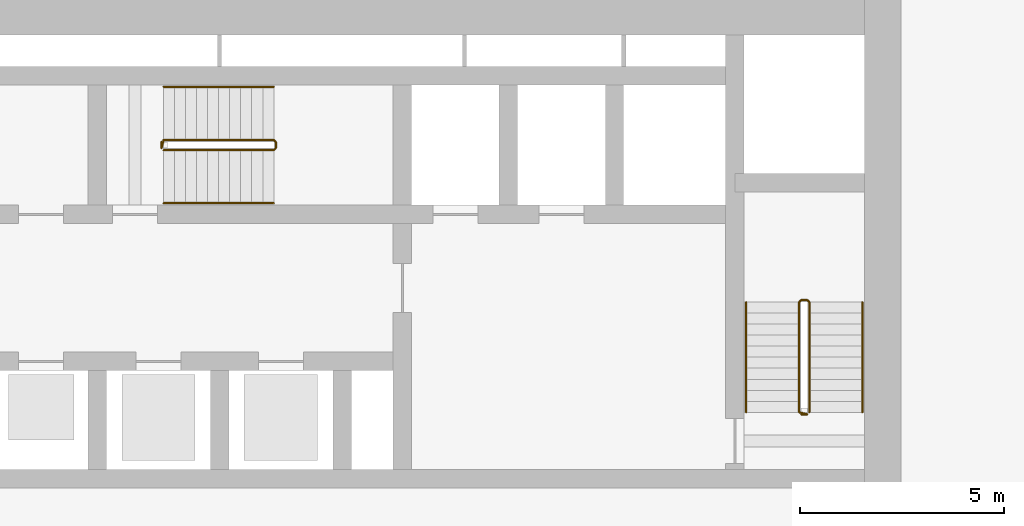
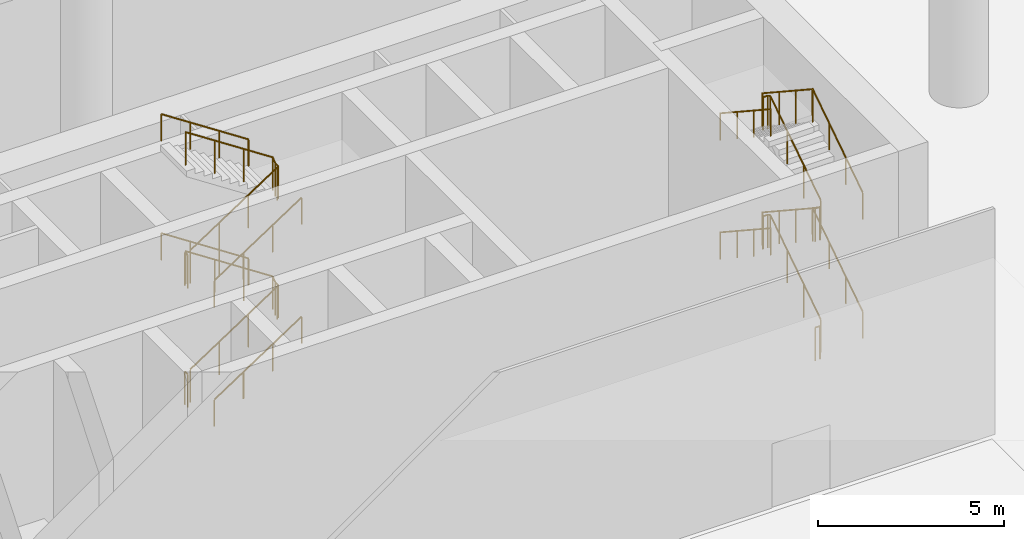
# One storey, part 30 of 32: 14 railings.
"""IFC4 building model written with IfcOpenShell, lengths in metres."""

from ifc_helpers import new_model, si_unit, direction, frame, origin, origin_2d, place, context, subcontext, project, spatial, circle, extrude, material, type_object, element, save


model = new_model("IFC4")

# Units and contexts
model_context = context("Model", 3, precision=1e-05, world=origin(), true_north=direction((0.0, 1.0)))
body_context = subcontext(model_context, "Body", "Model", "MODEL_VIEW")
ifc_project = project(units=[si_unit("LENGTHUNIT", "METRE"), si_unit("AREAUNIT", "SQUARE_METRE"), si_unit("VOLUMEUNIT", "CUBIC_METRE"), si_unit("PLANEANGLEUNIT", "RADIAN"), si_unit("MASSUNIT", "GRAM", prefix="KILO")], contexts=[model_context])

# Site, building, storey
site_placement = place(None, origin())
site = spatial("IfcSite", under=ifc_project, at=site_placement, CompositionType="ELEMENT")
building_placement = place(site_placement, origin())
building = spatial("IfcBuilding", under=site, at=building_placement, Name="Saffron Iwan Residences", CompositionType="ELEMENT")
storey_placement = place(building_placement, origin())
storey = spatial("IfcBuildingStorey", under=building, at=storey_placement, Name="L00", CompositionType="ELEMENT", Elevation=0.0)

# Railings
ifc_material_1 = material(Name="Steel S355", Category="steel")
railing_type_1 = type_object("IfcRailingType", Name="Stair guard 1100", PredefinedType="GUARDRAIL", material=ifc_material_1)
railing_1_placement = place(storey_placement, frame((53.925048828125, 74.27490234375, 0.17724609375)))
element("IfcRailing", 1, at=railing_1_placement, inside=storey, type_object=railing_type_1, Name="L00 ST-C stair guard 1", PredefinedType="GUARDRAIL", context=body_context, shape_type="SweptSolid", body=[
    extrude(circle(Radius=0.02392578125, at=origin_2d()), frame((0.0, 0.0, 1.076171875), z_axis=(0.835925453266, 0.0, 0.548842998116), x_axis=(0.0, 1.0, 0.0)), (0.0, 0.0, 1.0), 3.22998046875),
    extrude(circle(Radius=0.02392578125, at=origin_2d()), frame((2.699951171875, 0.0, 2.8486328125), z_axis=(0.707106781187, 0.707106781187, 0.0), x_axis=(-0.707106781187, 0.707106781187, 0.0)), (0.0, 0.0, 1.0), 0.07080078125),
    extrude(circle(Radius=0.02392578125, at=origin_2d()), frame((2.75, 0.050048828125, 2.8486328125), z_axis=(0.0, 1.0, 0.0), x_axis=(-1.0, 0.0, 0.0)), (0.0, 0.0, 1.0), 0.150146484375),
    extrude(circle(Radius=0.02392578125, at=origin_2d()), frame((2.75, 0.2001953125, 2.8486328125), z_axis=(-0.262321481514, 0.261041864531, 0.929001929653), x_axis=(-0.705375805398, -0.708833529934, 0.0)), (0.0, 0.0, 1.0), 0.190673828125),
    extrude(circle(Radius=0.02392578125, at=origin_2d()), frame((2.699951171875, 0.25, 3.02587890625), z_axis=(-0.835925453266, 0.0, 0.548842998116), x_axis=(0.0, -1.0, 0.0)), (0.0, 0.0, 1.0), 3.22998046875),
    extrude(circle(Radius=0.02392578125, at=origin_2d()), frame((0.0, 0.25, 4.798828125), z_axis=(-0.242814311512, -0.970072785993, 0.0), x_axis=(0.970072785993, -0.242814311512, 0.0)), (0.0, 0.0, 1.0), 0.2060546875),
    extrude(circle(Radius=0.02392578125, at=origin_2d()), frame((-0.050048828125, 0.050048828125, 4.798828125), z_axis=(0.0, 1.0, 0.0), x_axis=(-1.0, 0.0, 0.0)), (0.0, 0.0, 1.0), 0.150146484375),
    extrude(circle(Radius=0.02099609375, at=origin_2d()), origin(), (0.0, 0.0, 1.0), 1.052001953125),
    extrude(circle(Radius=0.02099609375, at=origin_2d()), frame((0.89990234375, 0.0, 0.5908203125)), (0.0, 0.0, 1.0), 1.052001953125),
    extrude(circle(Radius=0.02099609375, at=origin_2d()), frame((1.800048828125, 0.0, 1.181884765625)), (0.0, 0.0, 1.0), 1.052001953125),
    extrude(circle(Radius=0.02099609375, at=origin_2d()), frame((2.699951171875, 0.0, 1.772705078125)), (0.0, 0.0, 1.0), 1.052001953125),
    extrude(circle(Radius=0.02099609375, at=origin_2d()), frame((2.75, 0.050048828125, 1.772705078125)), (0.0, 0.0, 1.0), 1.052001953125),
    extrude(circle(Radius=0.02099609375, at=origin_2d()), frame((2.75, 0.2001953125, 1.772705078125)), (0.0, 0.0, 1.0), 1.052001953125),
    extrude(circle(Radius=0.02099609375, at=origin_2d()), frame((2.699951171875, 0.25, 1.949951171875)), (0.0, 0.0, 1.0), 1.052001953125),
    extrude(circle(Radius=0.02099609375, at=origin_2d()), frame((1.800048828125, 0.25, 2.540771484375)), (0.0, 0.0, 1.0), 1.052001953125),
    extrude(circle(Radius=0.02099609375, at=origin_2d()), frame((0.89990234375, 0.25, 3.1318359375)), (0.0, 0.0, 1.0), 1.052001953125),
    extrude(circle(Radius=0.02099609375, at=origin_2d()), frame((0.0, 0.25, 3.72265625)), (0.0, 0.0, 1.0), 1.052001953125),
    extrude(circle(Radius=0.02099609375, at=origin_2d()), frame((-0.050048828125, 0.050048828125, 3.72265625)), (0.0, 0.0, 1.0), 1.052001953125),
    extrude(circle(Radius=0.02099609375, at=origin_2d()), frame((-0.050048828125, 0.2001953125, 3.72265625)), (0.0, 0.0, 1.0), 1.052001953125),
])
railing_2_placement = place(storey_placement, frame((53.925048828125, 74.27490234375, 4.077392578125)))
element("IfcRailing", 2, at=railing_2_placement, inside=storey, type_object=railing_type_1, Name="L00 ST-C stair guard 2", PredefinedType="GUARDRAIL", context=body_context, shape_type="SweptSolid", body=[
    extrude(circle(Radius=0.02392578125, at=origin_2d()), frame((0.0, 0.0, 1.076171875), z_axis=(0.835925453266, 0.0, 0.548842998116), x_axis=(0.0, 1.0, 0.0)), (0.0, 0.0, 1.0), 3.22998046875),
    extrude(circle(Radius=0.02392578125, at=origin_2d()), frame((2.699951171875, 0.0, 2.8486328125), z_axis=(0.707106781187, 0.707106781187, 0.0), x_axis=(-0.707106781187, 0.707106781187, 0.0)), (0.0, 0.0, 1.0), 0.07080078125),
    extrude(circle(Radius=0.02392578125, at=origin_2d()), frame((2.75, 0.050048828125, 2.8486328125), z_axis=(0.0, 1.0, 0.0), x_axis=(-1.0, 0.0, 0.0)), (0.0, 0.0, 1.0), 0.150146484375),
    extrude(circle(Radius=0.02392578125, at=origin_2d()), frame((2.75, 0.2001953125, 2.8486328125), z_axis=(-0.262321481514, 0.261041864531, 0.929001929653), x_axis=(-0.705375805398, -0.708833529934, 0.0)), (0.0, 0.0, 1.0), 0.190673828125),
    extrude(circle(Radius=0.02392578125, at=origin_2d()), frame((2.699951171875, 0.25, 3.02587890625), z_axis=(-0.835925453266, 0.0, 0.548842998116), x_axis=(0.0, -1.0, 0.0)), (0.0, 0.0, 1.0), 3.22998046875),
    extrude(circle(Radius=0.02099609375, at=origin_2d()), origin(), (0.0, 0.0, 1.0), 1.052001953125),
    extrude(circle(Radius=0.02099609375, at=origin_2d()), frame((0.89990234375, 0.0, 0.5908203125)), (0.0, 0.0, 1.0), 1.052001953125),
    extrude(circle(Radius=0.02099609375, at=origin_2d()), frame((1.800048828125, 0.0, 1.181884765625)), (0.0, 0.0, 1.0), 1.052001953125),
    extrude(circle(Radius=0.02099609375, at=origin_2d()), frame((2.699951171875, 0.0, 1.772705078125)), (0.0, 0.0, 1.0), 1.052001953125),
    extrude(circle(Radius=0.02099609375, at=origin_2d()), frame((2.75, 0.050048828125, 1.772705078125)), (0.0, 0.0, 1.0), 1.052001953125),
    extrude(circle(Radius=0.02099609375, at=origin_2d()), frame((2.75, 0.2001953125, 1.772705078125)), (0.0, 0.0, 1.0), 1.052001953125),
    extrude(circle(Radius=0.02099609375, at=origin_2d()), frame((2.699951171875, 0.25, 1.949951171875)), (0.0, 0.0, 1.0), 1.052001953125),
    extrude(circle(Radius=0.02099609375, at=origin_2d()), frame((1.800048828125, 0.25, 2.540771484375)), (0.0, 0.0, 1.0), 1.052001953125),
    extrude(circle(Radius=0.02099609375, at=origin_2d()), frame((0.89990234375, 0.25, 3.1318359375)), (0.0, 0.0, 1.0), 1.052001953125),
    extrude(circle(Radius=0.02099609375, at=origin_2d()), frame((0.0, 0.25, 3.72265625)), (0.0, 0.0, 1.0), 1.052001953125),
])
railing_3_placement = place(storey_placement, frame((53.875, 74.324951171875, 0.0)))
element("IfcRailing", 3, at=railing_3_placement, inside=storey, type_object=railing_type_1, Name="L00 ST-C stair guard 3", PredefinedType="GUARDRAIL", context=body_context, shape_type="SweptSolid", body=[
    extrude(circle(Radius=0.02392578125, at=origin_2d()), frame((0.0, 0.0, 1.076171875), z_axis=(0.0, 1.0, 0.0), x_axis=(-1.0, 0.0, 0.0)), (0.0, 0.0, 1.0), 0.150146484375),
    extrude(circle(Radius=0.02099609375, at=origin_2d()), origin(), (0.0, 0.0, 1.0), 1.052001953125),
    extrude(circle(Radius=0.02099609375, at=origin_2d()), frame((0.0, 0.150146484375, 0.0)), (0.0, 0.0, 1.0), 1.052001953125),
])
railing_4_placement = place(storey_placement, frame((69.75, 67.85009765625, 0.17724609375)))
element("IfcRailing", 4, at=railing_4_placement, inside=storey, type_object=railing_type_1, Name="L00 ST-E stair guard 1", PredefinedType="GUARDRAIL", context=body_context, shape_type="SweptSolid", body=[
    extrude(circle(Radius=0.02392578125, at=origin_2d()), frame((0.0, 0.0, 1.076171875), z_axis=(0.0, 0.835925453266, 0.548842998116), x_axis=(-1.0, 0.0, 0.0)), (0.0, 0.0, 1.0), 3.22998046875),
    extrude(circle(Radius=0.02392578125, at=origin_2d()), frame((0.0, 2.699951171875, 2.8486328125), z_axis=(-0.707106781187, 0.707106781187, 0.0), x_axis=(-0.707106781187, -0.707106781187, 0.0)), (0.0, 0.0, 1.0), 0.07080078125),
    extrude(circle(Radius=0.02392578125, at=origin_2d()), frame((-0.050048828125, 2.75, 2.8486328125), z_axis=(-1.0, 0.0, 0.0), x_axis=(0.0, -1.0, 0.0)), (0.0, 0.0, 1.0), 0.14990234375),
    extrude(circle(Radius=0.02392578125, at=origin_2d()), frame((-0.199951171875, 2.75, 2.8486328125), z_axis=(-0.262233686654, -0.262233686654, 0.928691007369), x_axis=(0.707106781187, -0.707106781187, 0.0)), (0.0, 0.0, 1.0), 0.19091796875),
    extrude(circle(Radius=0.02392578125, at=origin_2d()), frame((-0.25, 2.699951171875, 3.02587890625), z_axis=(0.0, -0.835925453266, 0.548842998116), x_axis=(1.0, 0.0, 0.0)), (0.0, 0.0, 1.0), 3.22998046875),
    extrude(circle(Radius=0.02392578125, at=origin_2d()), frame((-0.25, 0.0, 4.798828125), z_axis=(0.970072785993, -0.242814311512, 0.0), x_axis=(0.242814311512, 0.970072785993, 0.0)), (0.0, 0.0, 1.0), 0.2060546875),
    extrude(circle(Radius=0.02392578125, at=origin_2d()), frame((-0.050048828125, -0.050048828125, 4.798828125), z_axis=(-1.0, 0.0, 0.0), x_axis=(0.0, -1.0, 0.0)), (0.0, 0.0, 1.0), 0.14990234375),
    extrude(circle(Radius=0.02099609375, at=origin_2d()), origin(), (0.0, 0.0, 1.0), 1.052001953125),
    extrude(circle(Radius=0.02099609375, at=origin_2d()), frame((0.0, 0.89990234375, 0.5908203125)), (0.0, 0.0, 1.0), 1.052001953125),
    extrude(circle(Radius=0.02099609375, at=origin_2d()), frame((0.0, 1.800048828125, 1.181884765625)), (0.0, 0.0, 1.0), 1.052001953125),
    extrude(circle(Radius=0.02099609375, at=origin_2d()), frame((0.0, 2.699951171875, 1.772705078125)), (0.0, 0.0, 1.0), 1.052001953125),
    extrude(circle(Radius=0.02099609375, at=origin_2d()), frame((-0.050048828125, 2.75, 1.772705078125)), (0.0, 0.0, 1.0), 1.052001953125),
    extrude(circle(Radius=0.02099609375, at=origin_2d()), frame((-0.199951171875, 2.75, 1.772705078125)), (0.0, 0.0, 1.0), 1.052001953125),
    extrude(circle(Radius=0.02099609375, at=origin_2d()), frame((-0.25, 2.699951171875, 1.949951171875)), (0.0, 0.0, 1.0), 1.052001953125),
    extrude(circle(Radius=0.02099609375, at=origin_2d()), frame((-0.25, 1.800048828125, 2.540771484375)), (0.0, 0.0, 1.0), 1.052001953125),
    extrude(circle(Radius=0.02099609375, at=origin_2d()), frame((-0.25, 0.89990234375, 3.1318359375)), (0.0, 0.0, 1.0), 1.052001953125),
    extrude(circle(Radius=0.02099609375, at=origin_2d()), frame((-0.25, 0.0, 3.72265625)), (0.0, 0.0, 1.0), 1.052001953125),
    extrude(circle(Radius=0.02099609375, at=origin_2d()), frame((-0.050048828125, -0.050048828125, 3.72265625)), (0.0, 0.0, 1.0), 1.052001953125),
    extrude(circle(Radius=0.02099609375, at=origin_2d()), frame((-0.199951171875, -0.050048828125, 3.72265625)), (0.0, 0.0, 1.0), 1.052001953125),
])
railing_5_placement = place(storey_placement, frame((69.75, 67.85009765625, 4.077392578125)))
element("IfcRailing", 5, at=railing_5_placement, inside=storey, type_object=railing_type_1, Name="L00 ST-E stair guard 2", PredefinedType="GUARDRAIL", context=body_context, shape_type="SweptSolid", body=[
    extrude(circle(Radius=0.02392578125, at=origin_2d()), frame((0.0, 0.0, 1.076171875), z_axis=(0.0, 0.835925453266, 0.548842998116), x_axis=(-1.0, 0.0, 0.0)), (0.0, 0.0, 1.0), 3.22998046875),
    extrude(circle(Radius=0.02392578125, at=origin_2d()), frame((0.0, 2.699951171875, 2.8486328125), z_axis=(-0.707106781187, 0.707106781187, 0.0), x_axis=(-0.707106781187, -0.707106781187, 0.0)), (0.0, 0.0, 1.0), 0.07080078125),
    extrude(circle(Radius=0.02392578125, at=origin_2d()), frame((-0.050048828125, 2.75, 2.8486328125), z_axis=(-1.0, 0.0, 0.0), x_axis=(0.0, -1.0, 0.0)), (0.0, 0.0, 1.0), 0.14990234375),
    extrude(circle(Radius=0.02392578125, at=origin_2d()), frame((-0.199951171875, 2.75, 2.8486328125), z_axis=(-0.262233686654, -0.262233686654, 0.928691007369), x_axis=(0.707106781187, -0.707106781187, 0.0)), (0.0, 0.0, 1.0), 0.19091796875),
    extrude(circle(Radius=0.02392578125, at=origin_2d()), frame((-0.25, 2.699951171875, 3.02587890625), z_axis=(0.0, -0.835925453266, 0.548842998116), x_axis=(1.0, 0.0, 0.0)), (0.0, 0.0, 1.0), 3.22998046875),
    extrude(circle(Radius=0.02099609375, at=origin_2d()), origin(), (0.0, 0.0, 1.0), 1.052001953125),
    extrude(circle(Radius=0.02099609375, at=origin_2d()), frame((0.0, 0.89990234375, 0.5908203125)), (0.0, 0.0, 1.0), 1.052001953125),
    extrude(circle(Radius=0.02099609375, at=origin_2d()), frame((0.0, 1.800048828125, 1.181884765625)), (0.0, 0.0, 1.0), 1.052001953125),
    extrude(circle(Radius=0.02099609375, at=origin_2d()), frame((0.0, 2.699951171875, 1.772705078125)), (0.0, 0.0, 1.0), 1.052001953125),
    extrude(circle(Radius=0.02099609375, at=origin_2d()), frame((-0.050048828125, 2.75, 1.772705078125)), (0.0, 0.0, 1.0), 1.052001953125),
    extrude(circle(Radius=0.02099609375, at=origin_2d()), frame((-0.199951171875, 2.75, 1.772705078125)), (0.0, 0.0, 1.0), 1.052001953125),
    extrude(circle(Radius=0.02099609375, at=origin_2d()), frame((-0.25, 2.699951171875, 1.949951171875)), (0.0, 0.0, 1.0), 1.052001953125),
    extrude(circle(Radius=0.02099609375, at=origin_2d()), frame((-0.25, 1.800048828125, 2.540771484375)), (0.0, 0.0, 1.0), 1.052001953125),
    extrude(circle(Radius=0.02099609375, at=origin_2d()), frame((-0.25, 0.89990234375, 3.1318359375)), (0.0, 0.0, 1.0), 1.052001953125),
    extrude(circle(Radius=0.02099609375, at=origin_2d()), frame((-0.25, 0.0, 3.72265625)), (0.0, 0.0, 1.0), 1.052001953125),
])
railing_6_placement = place(storey_placement, frame((69.699951171875, 67.800048828125, 0.0)))
element("IfcRailing", 6, at=railing_6_placement, inside=storey, type_object=railing_type_1, Name="L00 ST-E stair guard 3", PredefinedType="GUARDRAIL", context=body_context, shape_type="SweptSolid", body=[
    extrude(circle(Radius=0.02392578125, at=origin_2d()), frame((0.0, 0.0, 1.076171875), z_axis=(-1.0, 0.0, 0.0), x_axis=(0.0, -1.0, 0.0)), (0.0, 0.0, 1.0), 0.14990234375),
    extrude(circle(Radius=0.02099609375, at=origin_2d()), origin(), (0.0, 0.0, 1.0), 1.052001953125),
    extrude(circle(Radius=0.02099609375, at=origin_2d()), frame((-0.14990234375, 0.0, 0.0)), (0.0, 0.0, 1.0), 1.052001953125),
])
ifc_material_2 = material(Name="Stainless steel 316", Category="steel")
railing_type_2 = type_object("IfcRailingType", Name="Stair handrail 900", PredefinedType="HANDRAIL", material=ifc_material_2)
railing_7_placement = place(storey_placement, frame((53.925048828125, 72.97509765625, 0.17724609375)))
element("IfcRailing", 7, at=railing_7_placement, inside=storey, type_object=railing_type_2, Name="L00 ST-C stair handrail 1", PredefinedType="HANDRAIL", context=body_context, shape_type="SweptSolid", body=[
    extrude(circle(Radius=0.02392578125, at=origin_2d()), frame((0.0, 0.0, 0.8759765625), z_axis=(0.835925453266, 0.0, 0.548842998116), x_axis=(0.0, 1.0, 0.0)), (0.0, 0.0, 1.0), 3.22998046875),
    extrude(circle(Radius=0.02099609375, at=origin_2d()), origin(), (0.0, 0.0, 1.0), 0.851806640625),
    extrude(circle(Radius=0.02099609375, at=origin_2d()), frame((0.89990234375, 0.0, 0.5908203125)), (0.0, 0.0, 1.0), 0.851806640625),
    extrude(circle(Radius=0.02099609375, at=origin_2d()), frame((1.800048828125, 0.0, 1.181884765625)), (0.0, 0.0, 1.0), 0.851806640625),
    extrude(circle(Radius=0.02099609375, at=origin_2d()), frame((2.699951171875, 0.0, 1.772705078125)), (0.0, 0.0, 1.0), 0.851806640625),
])
railing_8_placement = place(storey_placement, frame((56.625, 75.824951171875, 2.127197265625)))
element("IfcRailing", 8, at=railing_8_placement, inside=storey, type_object=railing_type_2, Name="L00 ST-C stair handrail 2", PredefinedType="HANDRAIL", context=body_context, shape_type="SweptSolid", body=[
    extrude(circle(Radius=0.02392578125, at=origin_2d()), frame((0.0, 0.0, 0.8759765625), z_axis=(-0.835925453266, 0.0, 0.548842998116), x_axis=(0.0, -1.0, 0.0)), (0.0, 0.0, 1.0), 3.22998046875),
    extrude(circle(Radius=0.02099609375, at=origin_2d()), origin(), (0.0, 0.0, 1.0), 0.851806640625),
    extrude(circle(Radius=0.02099609375, at=origin_2d()), frame((-0.89990234375, 0.0, 0.5908203125)), (0.0, 0.0, 1.0), 0.851806640625),
    extrude(circle(Radius=0.02099609375, at=origin_2d()), frame((-1.800048828125, 0.0, 1.181884765625)), (0.0, 0.0, 1.0), 0.851806640625),
    extrude(circle(Radius=0.02099609375, at=origin_2d()), frame((-2.699951171875, 0.0, 1.772705078125)), (0.0, 0.0, 1.0), 0.851806640625),
])
railing_9_placement = place(storey_placement, frame((53.925048828125, 72.97509765625, 4.077392578125)))
element("IfcRailing", 9, at=railing_9_placement, inside=storey, type_object=railing_type_2, Name="L00 ST-C stair handrail 3", PredefinedType="HANDRAIL", context=body_context, shape_type="SweptSolid", body=[
    extrude(circle(Radius=0.02392578125, at=origin_2d()), frame((0.0, 0.0, 0.8759765625), z_axis=(0.835925453266, 0.0, 0.548842998116), x_axis=(0.0, 1.0, 0.0)), (0.0, 0.0, 1.0), 3.22998046875),
    extrude(circle(Radius=0.02099609375, at=origin_2d()), origin(), (0.0, 0.0, 1.0), 0.851806640625),
    extrude(circle(Radius=0.02099609375, at=origin_2d()), frame((0.89990234375, 0.0, 0.5908203125)), (0.0, 0.0, 1.0), 0.851806640625),
    extrude(circle(Radius=0.02099609375, at=origin_2d()), frame((1.800048828125, 0.0, 1.181884765625)), (0.0, 0.0, 1.0), 0.851806640625),
    extrude(circle(Radius=0.02099609375, at=origin_2d()), frame((2.699951171875, 0.0, 1.772705078125)), (0.0, 0.0, 1.0), 0.851806640625),
])
railing_10_placement = place(storey_placement, frame((56.625, 75.824951171875, 6.02734375)))
element("IfcRailing", 10, at=railing_10_placement, inside=storey, type_object=railing_type_2, Name="L00 ST-C stair handrail 4", PredefinedType="HANDRAIL", context=body_context, shape_type="SweptSolid", body=[
    extrude(circle(Radius=0.02392578125, at=origin_2d()), frame((0.0, 0.0, 0.8759765625), z_axis=(-0.835925453266, 0.0, 0.548842998116), x_axis=(0.0, -1.0, 0.0)), (0.0, 0.0, 1.0), 3.22998046875),
    extrude(circle(Radius=0.02099609375, at=origin_2d()), origin(), (0.0, 0.0, 1.0), 0.851806640625),
    extrude(circle(Radius=0.02099609375, at=origin_2d()), frame((-0.89990234375, 0.0, 0.5908203125)), (0.0, 0.0, 1.0), 0.851806640625),
    extrude(circle(Radius=0.02099609375, at=origin_2d()), frame((-1.800048828125, 0.0, 1.181884765625)), (0.0, 0.0, 1.0), 0.851806640625),
    extrude(circle(Radius=0.02099609375, at=origin_2d()), frame((-2.699951171875, 0.0, 1.772705078125)), (0.0, 0.0, 1.0), 0.851806640625),
])
railing_11_placement = place(storey_placement, frame((71.050048828125, 67.85009765625, 0.17724609375)))
element("IfcRailing", 11, at=railing_11_placement, inside=storey, type_object=railing_type_2, Name="L00 ST-E stair handrail 1", PredefinedType="HANDRAIL", context=body_context, shape_type="SweptSolid", body=[
    extrude(circle(Radius=0.02392578125, at=origin_2d()), frame((0.0, 0.0, 0.8759765625), z_axis=(0.0, 0.835925453266, 0.548842998116), x_axis=(-1.0, 0.0, 0.0)), (0.0, 0.0, 1.0), 3.22998046875),
    extrude(circle(Radius=0.02099609375, at=origin_2d()), origin(), (0.0, 0.0, 1.0), 0.851806640625),
    extrude(circle(Radius=0.02099609375, at=origin_2d()), frame((0.0, 0.89990234375, 0.5908203125)), (0.0, 0.0, 1.0), 0.851806640625),
    extrude(circle(Radius=0.02099609375, at=origin_2d()), frame((0.0, 1.800048828125, 1.181884765625)), (0.0, 0.0, 1.0), 0.851806640625),
    extrude(circle(Radius=0.02099609375, at=origin_2d()), frame((0.0, 2.699951171875, 1.772705078125)), (0.0, 0.0, 1.0), 0.851806640625),
])
railing_12_placement = place(storey_placement, frame((68.199951171875, 70.550048828125, 2.127197265625)))
element("IfcRailing", 12, at=railing_12_placement, inside=storey, type_object=railing_type_2, Name="L00 ST-E stair handrail 2", PredefinedType="HANDRAIL", context=body_context, shape_type="SweptSolid", body=[
    extrude(circle(Radius=0.02392578125, at=origin_2d()), frame((0.0, 0.0, 0.8759765625), z_axis=(0.0, -0.835925453266, 0.548842998116), x_axis=(1.0, 0.0, 0.0)), (0.0, 0.0, 1.0), 3.22998046875),
    extrude(circle(Radius=0.02099609375, at=origin_2d()), origin(), (0.0, 0.0, 1.0), 0.851806640625),
    extrude(circle(Radius=0.02099609375, at=origin_2d()), frame((0.0, -0.89990234375, 0.5908203125)), (0.0, 0.0, 1.0), 0.851806640625),
    extrude(circle(Radius=0.02099609375, at=origin_2d()), frame((0.0, -1.800048828125, 1.181884765625)), (0.0, 0.0, 1.0), 0.851806640625),
    extrude(circle(Radius=0.02099609375, at=origin_2d()), frame((0.0, -2.699951171875, 1.772705078125)), (0.0, 0.0, 1.0), 0.851806640625),
])
railing_13_placement = place(storey_placement, frame((71.050048828125, 67.85009765625, 4.077392578125)))
element("IfcRailing", 13, at=railing_13_placement, inside=storey, type_object=railing_type_2, Name="L00 ST-E stair handrail 3", PredefinedType="HANDRAIL", context=body_context, shape_type="SweptSolid", body=[
    extrude(circle(Radius=0.02392578125, at=origin_2d()), frame((0.0, 0.0, 0.8759765625), z_axis=(0.0, 0.835925453266, 0.548842998116), x_axis=(-1.0, 0.0, 0.0)), (0.0, 0.0, 1.0), 3.22998046875),
    extrude(circle(Radius=0.02099609375, at=origin_2d()), origin(), (0.0, 0.0, 1.0), 0.851806640625),
    extrude(circle(Radius=0.02099609375, at=origin_2d()), frame((0.0, 0.89990234375, 0.5908203125)), (0.0, 0.0, 1.0), 0.851806640625),
    extrude(circle(Radius=0.02099609375, at=origin_2d()), frame((0.0, 1.800048828125, 1.181884765625)), (0.0, 0.0, 1.0), 0.851806640625),
    extrude(circle(Radius=0.02099609375, at=origin_2d()), frame((0.0, 2.699951171875, 1.772705078125)), (0.0, 0.0, 1.0), 0.851806640625),
])
railing_14_placement = place(storey_placement, frame((68.199951171875, 70.550048828125, 6.02734375)))
element("IfcRailing", 14, at=railing_14_placement, inside=storey, type_object=railing_type_2, Name="L00 ST-E stair handrail 4", PredefinedType="HANDRAIL", context=body_context, shape_type="SweptSolid", body=[
    extrude(circle(Radius=0.02392578125, at=origin_2d()), frame((0.0, 0.0, 0.8759765625), z_axis=(0.0, -0.835925453266, 0.548842998116), x_axis=(1.0, 0.0, 0.0)), (0.0, 0.0, 1.0), 3.22998046875),
    extrude(circle(Radius=0.02099609375, at=origin_2d()), origin(), (0.0, 0.0, 1.0), 0.851806640625),
    extrude(circle(Radius=0.02099609375, at=origin_2d()), frame((0.0, -0.89990234375, 0.5908203125)), (0.0, 0.0, 1.0), 0.851806640625),
    extrude(circle(Radius=0.02099609375, at=origin_2d()), frame((0.0, -1.800048828125, 1.181884765625)), (0.0, 0.0, 1.0), 0.851806640625),
    extrude(circle(Radius=0.02099609375, at=origin_2d()), frame((0.0, -2.699951171875, 1.772705078125)), (0.0, 0.0, 1.0), 0.851806640625),
])

save(model, "model.ifc")
